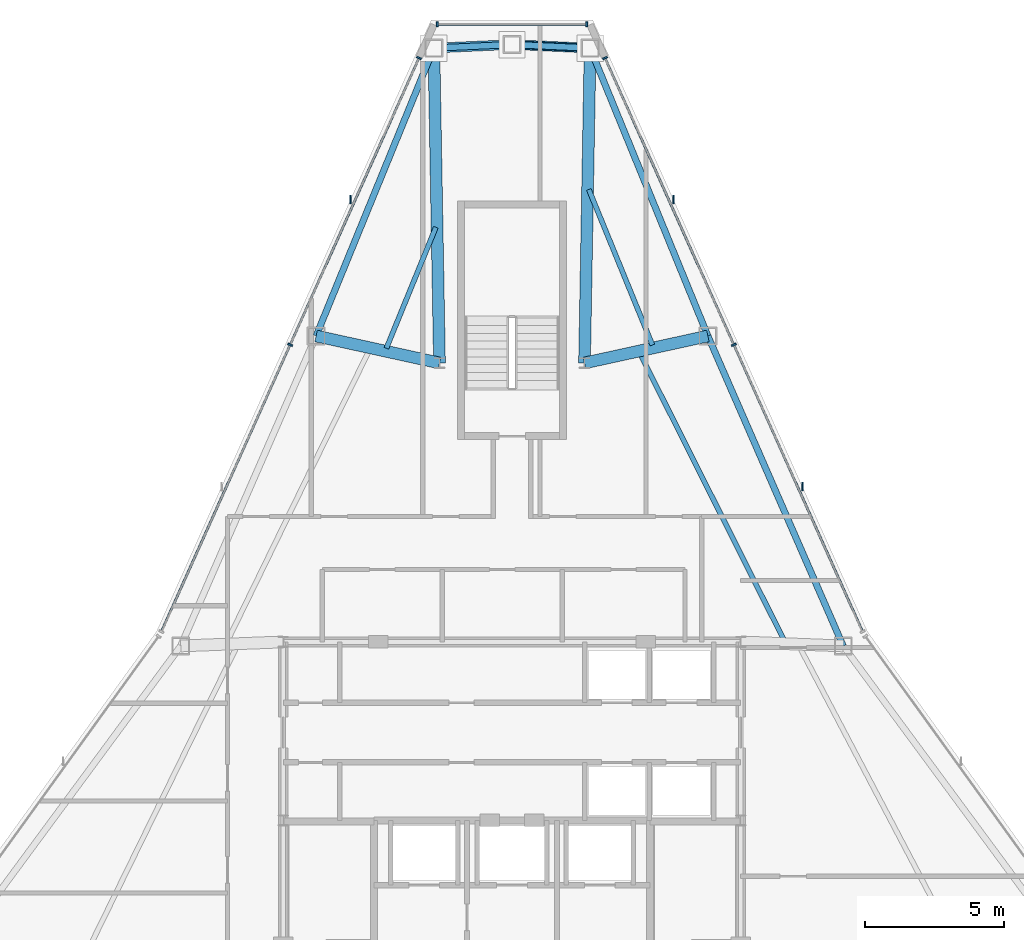
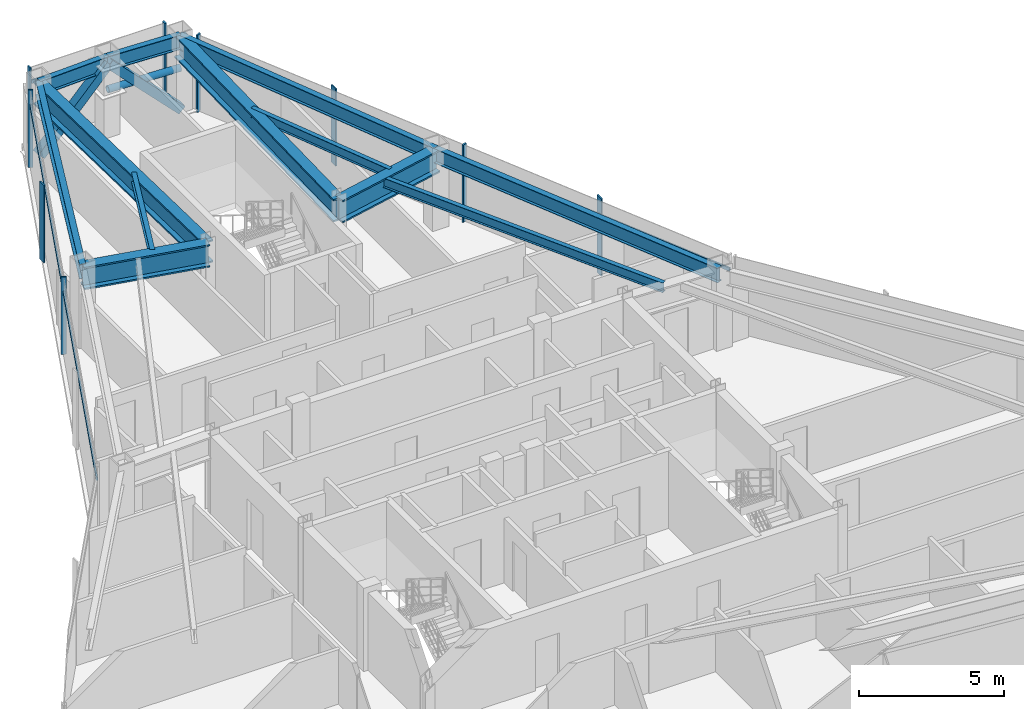
# One storey, part 7 of 12: 15 members, 12 beams, 3 elements without a shape of their own.
"""IFC4 building model written with IfcOpenShell, lengths in metres."""

from ifc_helpers import new_model, si_unit, direction, frame, origin, origin_2d, place, context, subcontext, project, spatial, rectangle, hollow_rectangle, hollow_circle, i_section, extrude, source, transform, mapped, material, layer, layer_set, material_profile, profile_set, type_object, type_shapes, element, aggregate, save


model = new_model("IFC4")

# Units and contexts
model_context = context("Model", 3, precision=1e-05, world=origin(), true_north=direction((0.0, 1.0)))
body_context = subcontext(model_context, "Body", "Model", "MODEL_VIEW")
ifc_project = project(units=[si_unit("LENGTHUNIT", "METRE"), si_unit("AREAUNIT", "SQUARE_METRE"), si_unit("VOLUMEUNIT", "CUBIC_METRE"), si_unit("PLANEANGLEUNIT", "RADIAN"), si_unit("MASSUNIT", "GRAM", prefix="KILO")], contexts=[model_context])

# Site, building, storey
site_placement = place(None, origin())
site = spatial("IfcSite", under=ifc_project, at=site_placement, CompositionType="ELEMENT")
building_placement = place(site_placement, origin())
building = spatial("IfcBuilding", under=site, at=building_placement, Name="Varakhsha Concourse Tower", CompositionType="ELEMENT")
storey_placement = place(building_placement, frame((0.0, 0.0, 255.0)))
storey = spatial("IfcBuildingStorey", under=building, at=storey_placement, Name="L72", CompositionType="ELEMENT", Elevation=255.0)

# Beams
ifc_material_1 = material(Name="Structural Steel ASTM A992 Grade 50", Category="steel")
ifc_material_profile_1 = material_profile(ifc_material_1, i_section(OverallWidth=0.177978515625, OverallDepth=0.406982421875, WebThickness=0.008056640625, FlangeThickness=0.012939453125, at=origin_2d()), Name="W16X40")
ifc_profile_set_1 = profile_set([ifc_material_profile_1], Name="Structural Steel ASTM A992 Grade 50")
beam_type_1 = type_object("IfcBeamType", Name="BM-JST-W16X40", PredefinedType="JOIST", material=ifc_profile_set_1)
beam_1_placement = place(storey_placement, frame((37.270263671875, 46.06591796875, 3.04638671875), z_axis=(-0.378645015477, -0.925541977576, 0.0), x_axis=(0.925541977576, -0.378645015477, 0.0)))
element("IfcBeam", 1, at=beam_1_placement, inside=storey, type_object=beam_type_1, Name="BM-TJST-L72-03", PredefinedType="JOIST", context=body_context, shape_type="SweptSolid", body=[
    extrude(i_section(OverallWidth=0.177978515625, OverallDepth=0.406982421875, WebThickness=0.008056640625, FlangeThickness=0.012939453125, at=origin_2d()), origin(), (0.0, 0.0, 1.0), 4.686767578125),
])
beam_2_placement = place(storey_placement, frame((49.767333984375, 31.23486328125, 3.04638671875), z_axis=(-0.448984495449, 0.893539547444, 0.0), x_axis=(-0.893539547444, -0.448984495449, 0.0)))
element("IfcBeam", 2, at=beam_2_placement, inside=storey, type_object=beam_type_1, Name="BM-TJST-L72-17", PredefinedType="JOIST", context=body_context, shape_type="SweptSolid", body=[
    extrude(i_section(OverallWidth=0.177978515625, OverallDepth=0.406982421875, WebThickness=0.008056640625, FlangeThickness=0.012939453125, at=origin_2d()), origin(), (0.0, 0.0, 1.0), 11.51953125),
])
beam_3_placement = place(storey_placement, frame((45.034912109375, 41.84423828125, 3.04638671875), z_axis=(-0.378596554977, 0.925561801588, 0.0), x_axis=(-0.925561801588, -0.378596554977, 0.0)))
element("IfcBeam", 3, at=beam_3_placement, inside=storey, type_object=beam_type_1, Name="BM-TJST-L72-18", PredefinedType="JOIST", context=body_context, shape_type="SweptSolid", body=[
    extrude(i_section(OverallWidth=0.177978515625, OverallDepth=0.406982421875, WebThickness=0.008056640625, FlangeThickness=0.012939453125, at=origin_2d()), origin(), (0.0, 0.0, 1.0), 6.02490234375),
])
ifc_material_profile_2 = material_profile(ifc_material_1, i_section(OverallWidth=0.423095703125, OverallDepth=0.947998046875, WebThickness=0.0380859375, FlangeThickness=0.06396484375, at=origin_2d()), Name="W36X302")
ifc_profile_set_2 = profile_set([ifc_material_profile_2], Name="Structural Steel ASTM A992 Grade 50")
beam_type_2 = type_object("IfcBeamType", Name="BM-OUTR-W36X302", PredefinedType="USERDEFINED", material=ifc_profile_set_2)
for number, where, z_axis, x_axis, name in (
    (4, (42.60009765625, 41.199951171875, 2.77587890625), (0.017729243063, 0.999842824618, 0.0), (-0.999842824618, 0.017729243063, 0.0), "L72 Radial Floor Girder 01"),
    (5, (37.39990234375, 41.199951171875, 2.77587890625), (-0.017729243063, 0.999842824618, 0.0), (-0.999842824618, -0.017729243063, 0.0), "L72 Radial Floor Girder 03"),
):
    element("IfcBeam", number, at=place(storey_placement, frame(where, z_axis=z_axis, x_axis=x_axis)), inside=storey, type_object=beam_type_2, Name=name, ObjectType="GIRDER", PredefinedType="USERDEFINED", context=body_context, shape_type="SweptSolid", body=[
        extrude(i_section(OverallWidth=0.423095703125, OverallDepth=0.947998046875, WebThickness=0.0380859375, FlangeThickness=0.06396484375, at=origin_2d()), origin(), (0.0, 0.0, 1.0), 11.291748046875),
    ])
for number, where, z_axis, x_axis, name in (
    (6, (37.39990234375, 41.199951171875, 2.77587890625), (-0.976839822621, 0.213971869509, 0.0), (-0.213971869509, -0.976839822621, 0.0), "L72 Radial Floor Girder 04"),
    (7, (42.60009765625, 41.199951171875, 2.77587890625), (0.976839822621, 0.213971869509, 0.0), (-0.213971869509, 0.976839822621, 0.0), "L72 Radial Floor Girder 18"),
):
    element("IfcBeam", number, at=place(storey_placement, frame(where, z_axis=z_axis, x_axis=x_axis)), inside=storey, type_object=beam_type_2, Name=name, ObjectType="GIRDER", PredefinedType="USERDEFINED", context=body_context, shape_type="SweptSolid", body=[
        extrude(i_section(OverallWidth=0.423095703125, OverallDepth=0.947998046875, WebThickness=0.0380859375, FlangeThickness=0.06396484375, at=origin_2d()), origin(), (0.0, 0.0, 1.0), 4.52734375),
    ])
ifc_material_profile_3 = material_profile(ifc_material_1, i_section(OverallWidth=0.22900390625, OverallDepth=0.612060546875, WebThickness=0.011962890625, FlangeThickness=0.02001953125, at=origin_2d()), Name="W24X84")
ifc_profile_set_3 = profile_set([ifc_material_profile_3], Name="Structural Steel ASTM A992 Grade 50")
beam_type_3 = type_object("IfcBeamType", Name="BM-SPAN-W24X84", PredefinedType="SPANDREL", material=ifc_profile_set_3)
for number, where, z_axis, x_axis, name in (
    (8, (42.80029296875, 52.489990234375, 2.944091796875), (-0.998969976315, 0.045376055594, 0.0), (-0.045376055594, -0.998969976315, 0.0), "BM-SPAN-L72-01"),
    (9, (40.0, 52.6171875, 2.944091796875), (-0.998969976315, -0.045376055594, 0.0), (0.045376055594, -0.998969976315, 0.0), "BM-SPAN-L72-02"),
):
    element("IfcBeam", number, at=place(storey_placement, frame(where, z_axis=z_axis, x_axis=x_axis)), inside=storey, type_object=beam_type_3, Name=name, PredefinedType="SPANDREL", context=body_context, shape_type="SweptSolid", body=[
        extrude(i_section(OverallWidth=0.22900390625, OverallDepth=0.612060546875, WebThickness=0.011962890625, FlangeThickness=0.02001953125, at=origin_2d()), origin(), (0.0, 0.0, 1.0), 2.80322265625),
    ])
beam_4_placement = place(storey_placement, frame((37.19970703125, 52.489990234375, 2.944091796875), z_axis=(-0.37863796052, -0.925544863771, 0.0), x_axis=(0.925544863771, -0.37863796052, 0.0)))
element("IfcBeam", 10, at=beam_4_placement, inside=storey, type_object=beam_type_3, Name="BM-SPAN-L72-03", PredefinedType="SPANDREL", context=body_context, shape_type="SweptSolid", body=[
    extrude(i_section(OverallWidth=0.22900390625, OverallDepth=0.612060546875, WebThickness=0.011962890625, FlangeThickness=0.02001953125, at=origin_2d()), origin(), (0.0, 0.0, 1.0), 11.151611328125),
])
beam_5_placement = place(storey_placement, frame((51.874267578125, 31.0556640625, 2.944091796875), z_axis=(-0.400099437724, 0.916471734388, 0.0), x_axis=(-0.916471734388, -0.400099437724, 0.0)))
element("IfcBeam", 11, at=beam_5_placement, inside=storey, type_object=beam_type_3, Name="BM-SPAN-L72-17", PredefinedType="SPANDREL", context=body_context, shape_type="SweptSolid", body=[
    extrude(i_section(OverallWidth=0.22900390625, OverallDepth=0.612060546875, WebThickness=0.011962890625, FlangeThickness=0.02001953125, at=origin_2d()), origin(), (0.0, 0.0, 1.0), 12.1259765625),
])
beam_6_placement = place(storey_placement, frame((47.022705078125, 42.168701171875, 2.944091796875), z_axis=(-0.37863796052, 0.925544863771, 0.0), x_axis=(-0.925544863771, -0.37863796052, 0.0)))
element("IfcBeam", 12, at=beam_6_placement, inside=storey, type_object=beam_type_3, Name="BM-SPAN-L72-18", PredefinedType="SPANDREL", context=body_context, shape_type="SweptSolid", body=[
    extrude(i_section(OverallWidth=0.22900390625, OverallDepth=0.612060546875, WebThickness=0.011962890625, FlangeThickness=0.02001953125, at=origin_2d()), origin(), (0.0, 0.0, 1.0), 11.151611328125),
])

# Members
ifc_material_2 = material(Name="Structural Steel ASTM A500 Grade C", Category="steel")
ifc_material_profile_4 = material_profile(ifc_material_2, hollow_rectangle(XDim=0.35009765625, YDim=0.35009765625, WallThickness=0.01611328125, at=origin_2d()), Name="HSS 350x350x16")
ifc_profile_set_4 = profile_set([ifc_material_profile_4], Name="Structural Steel ASTM A500 Grade C")
member_type_1 = type_object("IfcMemberType", Name="MB-TUBE-HSS350", PredefinedType="BRACE", material=ifc_profile_set_4)
shared_shape_1 = source(origin(), body_context, "Body", "SweptSolid", [
    extrude(hollow_rectangle(XDim=0.35009765625, YDim=0.35009765625, WallThickness=0.01611328125, at=origin_2d()), origin(), (0.0, 0.0, 1.0), 3.983154296875),
])
type_shapes(member_type_1, [shared_shape_1])
for number, where, z_axis, x_axis, name in (
    (13, (42.80029296875, 52.489990234375, 0.1201171875), (-0.703028211157, 0.031933539495, 0.710444637796), (-0.045376055594, -0.998969976315, 0.0), "L72 Wind-Corner Tube Brace B01"),
    (14, (37.19970703125, 52.489990234375, 0.1201171875), (0.703028211157, 0.031933539495, 0.710444637796), (-0.045376055594, 0.998969976315, 0.0), "L72 Wind-Corner Tube Brace B02"),
):
    element("IfcMember", number, at=place(storey_placement, frame(where, z_axis=z_axis, x_axis=x_axis)), inside=storey, type_object=member_type_1, Name=name, PredefinedType="BRACE", context=body_context, shape_type="MappedRepresentation", body=[
        mapped(shared_shape_1, transform((0.0, 0.0, 0.0), scale=1.0)),
    ])
ifc_material_profile_5 = material_profile(ifc_material_2, hollow_circle(Radius=0.136474609375, WallThickness=0.011962890625, at=origin_2d()), Name="CHS 273x12")
ifc_profile_set_5 = profile_set([ifc_material_profile_5], Name="Structural Steel ASTM A500 Grade C")
member_type_2 = type_object("IfcMemberType", Name="MB-WIND-CHS273", PredefinedType="COLLAR", material=ifc_profile_set_5)
shared_shape_2 = source(origin(), body_context, "Body", "SweptSolid", [
    extrude(hollow_circle(Radius=0.136474609375, WallThickness=0.011962890625, at=origin_2d()), origin(), (0.0, 0.0, 1.0), 2.80322265625),
])
type_shapes(member_type_2, [shared_shape_2])
member_1_placement = place(storey_placement, frame((42.80029296875, 52.489990234375, 1.800048828125), z_axis=(-0.998969976315, 0.045376055594, 0.0), x_axis=(-0.045376055594, -0.998969976315, 0.0)))
element("IfcMember", 15, at=member_1_placement, inside=storey, type_object=member_type_2, Name="L72 Wind-Corner Collar Tie 1", PredefinedType="COLLAR", context=body_context, shape_type="MappedRepresentation", body=[
    mapped(shared_shape_2, transform((0.0, 0.0, 0.0), scale=1.0)),
])

# Curtain wall, members
ifc_material_3 = material(Name="Anodised Bronze Architectural Aluminium AA 6063-T6", Category="aluminium")
ifc_layer = layer(ifc_material_3, 0.199951171875, Name="CW-SYS-05")
ifc_layer_set = layer_set([ifc_layer], Name="Anodised Bronze Architectural Aluminium AA 6063-T6")
curtain_wall_type = type_object("IfcCurtainWallType", Name="CW-SYS-05", PredefinedType="NOTDEFINED", material=ifc_layer_set)
curtain_wall_1_placement = place(storey_placement, origin())
curtain_wall_1 = element("IfcCurtainWall", 16, at=curtain_wall_1_placement, inside=storey, type_object=curtain_wall_type, Name="L72 Chamfer Curtain Wall F1", PredefinedType="NOTDEFINED")
ifc_material_profile_6 = material_profile(ifc_material_3, rectangle(XDim=0.06494140625, YDim=0.179931640625, at=origin_2d()), Name="CWM-180X65")
ifc_profile_set_6 = profile_set([ifc_material_profile_6], Name="Anodised Bronze Architectural Aluminium AA 6063-T6")
member_type_3 = type_object("IfcMemberType", Name="CWM-180X65", PredefinedType="MULLION", material=ifc_profile_set_6)
shared_shape_3 = source(origin(), body_context, "Body", "SweptSolid", [
    extrude(rectangle(XDim=0.06494140625, YDim=0.179931640625, at=origin_2d()), origin(), (0.0, 0.0, 1.0), 3.25),
])
type_shapes(member_type_3, [shared_shape_3])
member_2_placement = place(storey_placement, frame((37.320068359375, 53.337158203125, 0.0), z_axis=(0.0, 0.0, 1.0), x_axis=(1.0, 0.0, 0.0)))
member_2 = element("IfcMember", 17, at=member_2_placement, type_object=member_type_3, Name="CW-L72-F1 Mullion 00", PredefinedType="MULLION", context=body_context, shape_type="MappedRepresentation", body=[
    mapped(shared_shape_3, transform((0.0, 0.0, 0.0), scale=1.0)),
])
member_3_placement = place(storey_placement, frame((42.679931640625, 53.337158203125, 0.0), z_axis=(0.0, 0.0, 1.0), x_axis=(1.0, 0.0, 0.0)))
member_3 = element("IfcMember", 18, at=member_3_placement, type_object=member_type_3, Name="CW-L72-F1 Mullion 01", PredefinedType="MULLION", context=body_context, shape_type="MappedRepresentation", body=[
    mapped(shared_shape_3, transform((0.0, 0.0, 0.0), scale=1.0)),
])

curtain_wall_2_placement = place(storey_placement, origin())
curtain_wall_2 = element("IfcCurtainWall", 19, at=curtain_wall_2_placement, inside=storey, type_object=curtain_wall_type, Name="L72 Crystal Curtain Wall F2", PredefinedType="NOTDEFINED")
member_4_placement = place(storey_placement, frame((32.046142578125, 41.8525390625, 0.0), z_axis=(0.0, 0.0, 1.0), x_axis=(0.409661937266, 0.912237412714, 0.0)))
member_4 = element("IfcMember", 20, at=member_4_placement, type_object=member_type_3, Name="CW-L72-F2 Mullion 01", PredefinedType="MULLION", context=body_context, shape_type="MappedRepresentation", body=[
    mapped(shared_shape_3, transform((0.0, 0.0, 0.0), scale=1.0)),
])
member_5_placement = place(storey_placement, frame((36.664306640625, 52.13623046875, 0.0), z_axis=(0.0, 0.0, 1.0), x_axis=(0.409661937266, 0.912237412714, 0.0)))
member_5 = element("IfcMember", 21, at=member_5_placement, type_object=member_type_3, Name="CW-L72-F2 Mullion 02", PredefinedType="MULLION", context=body_context, shape_type="MappedRepresentation", body=[
    mapped(shared_shape_3, transform((0.0, 0.0, 0.0), scale=1.0)),
])

curtain_wall_3_placement = place(storey_placement, origin())
curtain_wall_3 = element("IfcCurtainWall", 22, at=curtain_wall_3_placement, inside=storey, type_object=curtain_wall_type, Name="L72 Crystal Curtain Wall F9", PredefinedType="NOTDEFINED")
member_6_placement = place(storey_placement, frame((43.335693359375, 52.13623046875, 0.0), z_axis=(0.0, 0.0, 1.0), x_axis=(0.409661937266, -0.912237412714, 0.0)))
member_6 = element("IfcMember", 23, at=member_6_placement, type_object=member_type_3, Name="CW-L72-F9 Mullion 00", PredefinedType="MULLION", context=body_context, shape_type="MappedRepresentation", body=[
    mapped(shared_shape_3, transform((0.0, 0.0, 0.0), scale=1.0)),
])
member_7_placement = place(storey_placement, frame((47.953857421875, 41.8525390625, 0.0), z_axis=(0.0, 0.0, 1.0), x_axis=(0.409661937266, -0.912237412714, 0.0)))
member_7 = element("IfcMember", 24, at=member_7_placement, type_object=member_type_3, Name="CW-L72-F9 Mullion 01", PredefinedType="MULLION", context=body_context, shape_type="MappedRepresentation", body=[
    mapped(shared_shape_3, transform((0.0, 0.0, 0.0), scale=1.0)),
])

# Member
ifc_material_profile_7 = material_profile(ifc_material_3, rectangle(XDim=0.054931640625, YDim=0.300048828125, at=origin_2d()), Name="FIN-BRZ-300")
ifc_profile_set_7 = profile_set([ifc_material_profile_7], Name="Anodised Bronze Architectural Aluminium AA 6063-T6")
member_type_4 = type_object("IfcMemberType", Name="FIN-BRZ-300", PredefinedType="USERDEFINED", material=ifc_profile_set_7)
shared_shape_4 = source(origin(), body_context, "Body", "SweptSolid", [
    extrude(rectangle(XDim=0.054931640625, YDim=0.300048828125, at=origin_2d()), origin(), (0.0, 0.0, 1.0), 3.25),
])
type_shapes(member_type_4, [shared_shape_4])
member_8_placement = place(storey_placement, frame((34.20458984375, 47.06201171875, 0.0), z_axis=(0.0, 0.0, 1.0), x_axis=(1.0, 0.0, 0.0)))
member_8 = element("IfcMember", 25, at=member_8_placement, type_object=member_type_4, Name="L72 Anodised Bronze Solar Fin F2-2", ObjectType="SOLAR FIN", PredefinedType="USERDEFINED", context=body_context, shape_type="MappedRepresentation", body=[
    mapped(shared_shape_4, transform((0.0, 0.0, 0.0), scale=1.0)),
])

member_9_placement = place(storey_placement, frame((45.79541015625, 47.06201171875, 0.0), z_axis=(0.0, 0.0, 1.0), x_axis=(1.0, 0.0, 0.0)))
member_9 = element("IfcMember", 26, at=member_9_placement, type_object=member_type_4, Name="L72 Anodised Bronze Solar Fin F9-1", ObjectType="SOLAR FIN", PredefinedType="USERDEFINED", context=body_context, shape_type="MappedRepresentation", body=[
    mapped(shared_shape_4, transform((0.0, 0.0, 0.0), scale=1.0)),
])

member_10_placement = place(storey_placement, frame((50.41357421875, 36.7783203125, 0.0), z_axis=(0.0, 0.0, 1.0), x_axis=(1.0, 0.0, 0.0)))
member_10 = element("IfcMember", 27, at=member_10_placement, type_object=member_type_4, Name="L72 Anodised Bronze Solar Fin F9-2", ObjectType="SOLAR FIN", PredefinedType="USERDEFINED", context=body_context, shape_type="MappedRepresentation", body=[
    mapped(shared_shape_4, transform((0.0, 0.0, 0.0), scale=1.0)),
])

ifc_material_profile_8 = material_profile(ifc_material_3, rectangle(XDim=0.06005859375, YDim=0.139892578125, at=origin_2d()), Name="CWT-140X60")
ifc_profile_set_8 = profile_set([ifc_material_profile_8], Name="Anodised Bronze Architectural Aluminium AA 6063-T6")
member_type_5 = type_object("IfcMemberType", Name="CWT-140X60", PredefinedType="USERDEFINED", material=ifc_profile_set_8)
shared_shape_5 = source(origin(), body_context, "Body", "SweptSolid", [
    extrude(rectangle(XDim=0.06005859375, YDim=0.139892578125, at=origin_2d()), origin(), (0.0, 0.0, 1.0), 5.35986328125),
])
member_11_placement = place(storey_placement, frame((37.320068359375, 53.337158203125, 2.60009765625), z_axis=(1.0, 0.0, 0.0), x_axis=(0.0, 1.0, 0.0)))
member_11 = element("IfcMember", 28, at=member_11_placement, type_object=member_type_5, Name="CW-L72-F1 Transom 01", ObjectType="TRANSOM", PredefinedType="USERDEFINED", context=body_context, shape_type="MappedRepresentation", body=[
    mapped(shared_shape_5, transform((0.0, 0.0, 0.0), scale=1.0)),
])

aggregate(curtain_wall_1, [member_2, member_3, member_11])

shared_shape_6 = source(origin(), body_context, "Body", "SweptSolid", [
    extrude(rectangle(XDim=0.06005859375, YDim=0.139892578125, at=origin_2d()), origin(), (0.0, 0.0, 1.0), 22.5458984375),
])
type_shapes(member_type_5, [shared_shape_5, shared_shape_6])
member_12_placement = place(storey_placement, frame((27.427978515625, 31.569091796875, 2.60009765625), z_axis=(0.40966801453, 0.91223468355, 0.0), x_axis=(-0.91223468355, 0.40966801453, 0.0)))
member_12 = element("IfcMember", 29, at=member_12_placement, type_object=member_type_5, Name="CW-L72-F2 Transom 01", ObjectType="TRANSOM", PredefinedType="USERDEFINED", context=body_context, shape_type="MappedRepresentation", body=[
    mapped(shared_shape_6, transform((0.0, 0.0, 0.0), scale=1.0)),
])

aggregate(curtain_wall_2, [member_4, member_5, member_12, member_8])

member_13_placement = place(storey_placement, frame((43.335693359375, 52.13623046875, 2.60009765625), z_axis=(0.40966801453, -0.91223468355, 0.0), x_axis=(0.91223468355, 0.40966801453, 0.0)))
member_13 = element("IfcMember", 30, at=member_13_placement, type_object=member_type_5, Name="CW-L72-F9 Transom 01", ObjectType="TRANSOM", PredefinedType="USERDEFINED", context=body_context, shape_type="MappedRepresentation", body=[
    mapped(shared_shape_6, transform((0.0, 0.0, 0.0), scale=1.0)),
])

aggregate(curtain_wall_3, [member_6, member_7, member_13, member_9, member_10])

save(model, "model.ifc")
